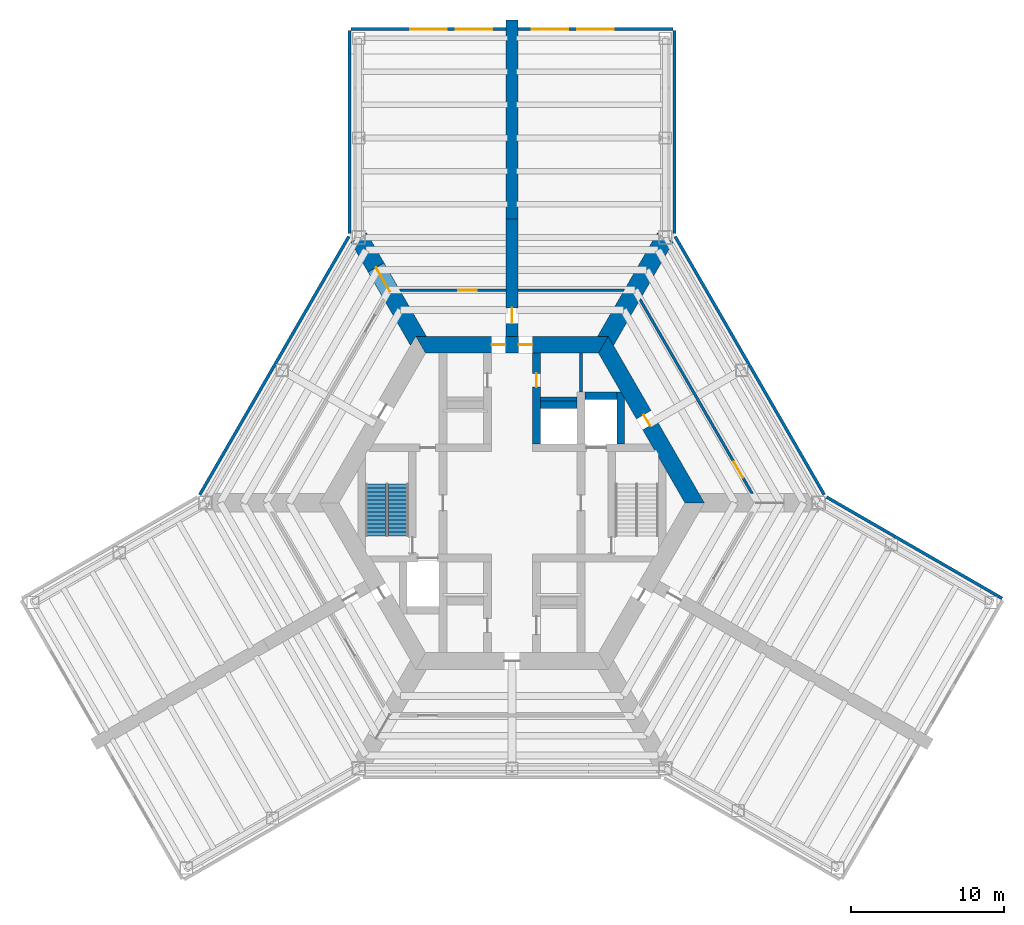
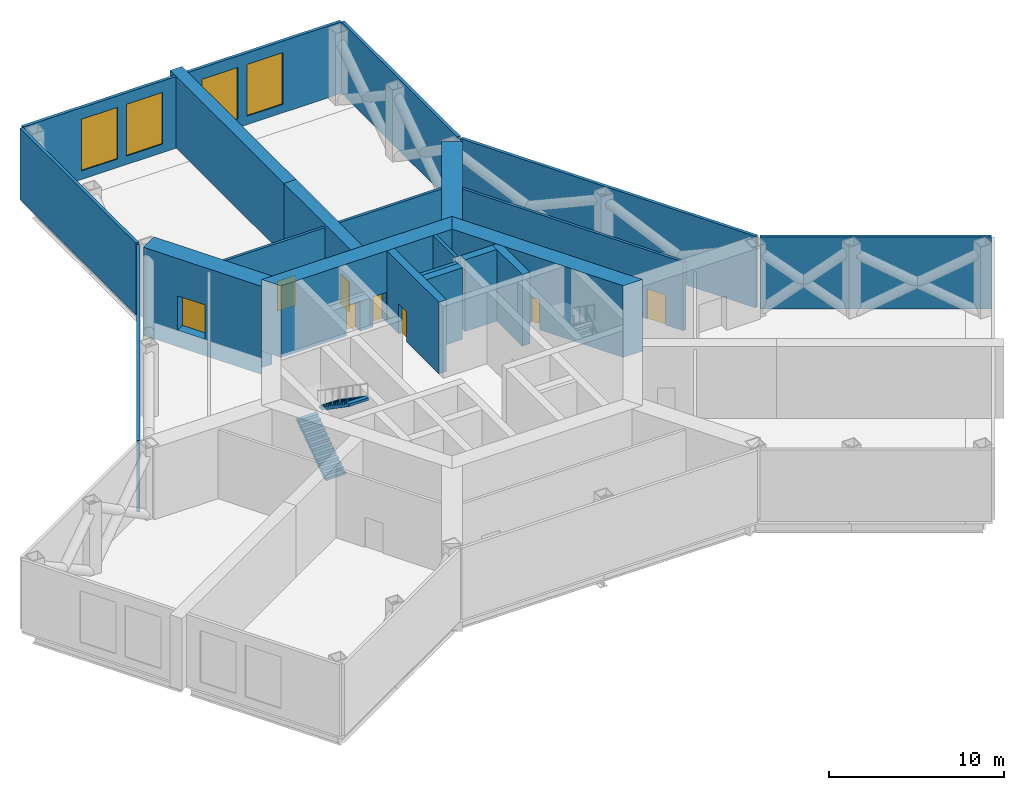
# One storey, part 6 of 8: 22 walls, 8 doors, 4 windows, 2 stair flights, 12 openings, 1 element without a shape of its own.
"""IFC4 building model written with IfcOpenShell, lengths in metres."""

from ifc_helpers import new_model, si_unit, direction, frame, frame_2d, origin, place, context, subcontext, project, spatial, polyline, rectangle, outline, extrude, material, layer, layer_set, type_object, element, fill, aggregate, save


model = new_model("IFC4")

# Units and contexts
model_context = context("Model", 3, precision=1e-05, world=origin(), true_north=direction((0.0, 1.0)))
body_context = subcontext(model_context, "Body", "Model", "MODEL_VIEW")
ifc_project = project(units=[si_unit("LENGTHUNIT", "METRE"), si_unit("AREAUNIT", "SQUARE_METRE"), si_unit("VOLUMEUNIT", "CUBIC_METRE"), si_unit("PLANEANGLEUNIT", "RADIAN"), si_unit("MASSUNIT", "GRAM", prefix="KILO")], contexts=[model_context])

# Site, building, storey
site_placement = place(None, origin())
site = spatial("IfcSite", under=ifc_project, at=site_placement, CompositionType="ELEMENT")
building_placement = place(site_placement, origin())
building = spatial("IfcBuilding", under=site, at=building_placement, Name="Kasaneha Research Tower", CompositionType="ELEMENT")
storey_placement = place(building_placement, frame((0.0, 0.0, 123.60009765625)))
storey = spatial("IfcBuildingStorey", under=building, at=storey_placement, Name="L31", CompositionType="ELEMENT", Elevation=123.60009765625)

# Wall, opening, door
ifc_material_1 = material(Name="Concrete Fc80", Category="concrete")
ifc_layer_1 = layer(ifc_material_1, 0.5)
ifc_layer_set_1 = layer_set([ifc_layer_1], Name="Core internal wall 500 Fc80")
wall_type_1 = type_object("IfcWallType", Name="Core internal wall 500 Fc80", PredefinedType="SHEAR", material=ifc_layer_set_1)
wall_1_placement = place(storey_placement, frame((1.60009765625, 3.85009765625, 0.0), z_axis=(0.0, 0.0, 1.0), x_axis=(0.0, 1.0, 0.0)))
wall_1 = element("IfcWall", 1, at=wall_1_placement, inside=storey, type_object=wall_type_1, Name="Core wall CNE L31", PredefinedType="SHEAR", context=body_context, shape_type="SweptSolid", body=[
    extrude(rectangle(XDim=5.9248046875, YDim=0.5, at=frame_2d((2.96240234375, 0.0))), origin(), (0.0, 0.0, 1.0), 5.0),
])
opening_1_placement = place(wall_1_placement, frame((3.699951171875, 0.0, 0.0)))
opening_1 = element("IfcOpeningElement", 2, at=opening_1_placement, cuts=wall_1, Name="Opening L31-D14", PredefinedType="OPENING", context=body_context, shape_type="SweptSolid", body=[
    extrude(rectangle(XDim=0.89990234375, YDim=2.10009765625, at=frame_2d((0.449951171875, 1.050048828125))), frame((0.0, 0.260009765625, 0.0), z_axis=(0.0, -1.0, 0.0), x_axis=(1.0, 0.0, 0.0)), (0.0, 0.0, 1.0), 0.52001953125),
])
ifc_material_2 = material(Name="Steel", Category="steel")
door_type_1 = type_object("IfcDoorType", Name="Toilet door FD20 900x2100", OperationType="NOTDEFINED", PredefinedType="DOOR", material=ifc_material_2)
door_1_placement = place(opening_1_placement, origin())
door_1 = element("IfcDoor", 3, at=door_1_placement, inside=storey, type_object=door_type_1, Name="Women's WC door L31-D14", OperationType="SINGLE_SWING_LEFT", OverallHeight=2.10009765625, OverallWidth=0.89990234375, PredefinedType="DOOR", context=body_context, shape_type="SweptSolid", body=[
    extrude(rectangle(XDim=0.89990234375, YDim=2.10009765625, at=frame_2d((0.449951171875, 1.050048828125))), frame((0.0, 0.02490234375, 0.0), z_axis=(0.0, -1.0, 0.0), x_axis=(1.0, 0.0, 0.0)), (0.0, 0.0, 1.0), 0.050048828125),
])
fill(opening_1, door_1)

# Walls
wall_2_placement = place(storey_placement, frame((1.85009765625, 6.39990234375, 0.0), z_axis=(0.0, 0.0, 1.0), x_axis=(1.0, 0.0, 0.0)))
element("IfcWall", 4, at=wall_2_placement, inside=storey, type_object=wall_type_1, Name="Core wall N3N L31", PredefinedType="SHEAR", context=body_context, shape_type="SweptSolid", body=[
    extrude(rectangle(XDim=2.39990234375, YDim=0.5, at=frame_2d((1.199951171875, 0.0))), origin(), (0.0, 0.0, 1.0), 5.0),
])
wall_3_placement = place(storey_placement, frame((4.75, 7.0, 0.0), z_axis=(0.0, 0.0, 1.0), x_axis=(1.0, 0.0, 0.0)))
element("IfcWall", 5, at=wall_3_placement, inside=storey, type_object=wall_type_1, Name="Core wall F1N L31", PredefinedType="SHEAR", context=body_context, shape_type="SweptSolid", body=[
    extrude(rectangle(XDim=2.10009765625, YDim=0.5, at=frame_2d((1.050048828125, 0.0))), origin(), (0.0, 0.0, 1.0), 5.0),
])
wall_4_placement = place(storey_placement, frame((7.10009765625, 3.85009765625, 0.0), z_axis=(0.0, 0.0, 1.0), x_axis=(0.0, 1.0, 0.0)))
element("IfcWall", 6, at=wall_4_placement, inside=storey, type_object=wall_type_1, Name="Core wall F1E L31", PredefinedType="SHEAR", context=body_context, shape_type="SweptSolid", body=[
    extrude(outline(polyline([(0.0, -0.25), (2.96923828125, -0.25), (3.39990234375, 0.0), (3.39990234375, 0.25), (0.0, 0.25), (0.0, -0.25)])), origin(), (0.0, 0.0, 1.0), 5.0),
])

# Wall, opening, door
ifc_material_3 = material(Name="Concrete Fc80", Category="concrete")
ifc_layer_2 = layer(ifc_material_3, 1.10009765625)
ifc_layer_set_2 = layer_set([ifc_layer_2], Name="Core wall 1100 Fc80")
wall_type_2 = type_object("IfcWallType", Name="Core wall 1100 Fc80", PredefinedType="SHEAR", material=ifc_layer_set_2)
wall_5_placement = place(storey_placement, frame((11.92236328125, 0.0, 0.0), z_axis=(0.0, 0.0, 1.0), x_axis=(-0.500004296715, 0.866022923061, 0.0)))
wall_5 = element("IfcWall", 7, at=wall_5_placement, inside=storey, type_object=wall_type_2, Name="Core wall 030 L31", PredefinedType="SHEAR", context=body_context, shape_type="SweptSolid", body=[
    extrude(outline(polyline([(-0.317626953125, -0.550048828125), (5.83544921875, -0.550048828125), (6.635498046875, -0.550048828125), (12.239990234375, -0.550048828125), (11.604736328125, 0.550048828125), (6.635498046875, 0.550048828125), (5.83544921875, 0.550048828125), (0.317626953125, 0.550048828125), (-0.317626953125, -0.550048828125)])), origin(), (0.0, 0.0, 1.0), 5.0),
])
opening_2_placement = place(wall_5_placement, frame((5.83544921875, 0.0, 0.0)))
opening_2 = element("IfcOpeningElement", 8, at=opening_2_placement, cuts=wall_5, Name="Opening L31-D04", PredefinedType="OPENING", context=body_context, shape_type="SweptSolid", body=[
    extrude(rectangle(XDim=0.800048828125, YDim=2.10009765625, at=frame_2d((0.39990234375, 1.050048828125))), frame((0.0, 0.56005859375, 0.0), z_axis=(0.0, -1.0, 0.0), x_axis=(1.0, 0.0, 0.0)), (0.0, 0.0, 1.0), 1.1201171875),
])
ifc_material_4 = material(Name="Steel", Category="steel")
door_type_2 = type_object("IfcDoorType", Name="Riser access door FD60 800x2100", OperationType="NOTDEFINED", PredefinedType="DOOR", material=ifc_material_4)
door_2_placement = place(opening_2_placement, origin())
door_2 = element("IfcDoor", 9, at=door_2_placement, inside=storey, type_object=door_type_2, Name="Pipe riser door L31-D04", OperationType="SINGLE_SWING_RIGHT", OverallHeight=2.10009765625, OverallWidth=0.800048828125, PredefinedType="DOOR", context=body_context, shape_type="SweptSolid", body=[
    extrude(rectangle(XDim=0.800048828125, YDim=2.10009765625, at=frame_2d((0.39990234375, 1.050048828125))), frame((0.0, 0.02490234375, 0.0), z_axis=(0.0, -1.0, 0.0), x_axis=(1.0, 0.0, 0.0)), (0.0, 0.0, 1.0), 0.050048828125),
])
fill(opening_2, door_2)

# Wall, openings, doors
wall_6_placement = place(storey_placement, frame((5.961181640625, 10.324951171875, 0.0), z_axis=(0.0, 0.0, 1.0), x_axis=(-1.0, 0.0, 0.0)))
wall_6 = element("IfcWall", 10, at=wall_6_placement, inside=storey, type_object=wall_type_2, Name="Core wall 090 L31", PredefinedType="SHEAR", context=body_context, shape_type="SweptSolid", body=[
    extrude(outline(polyline([(-0.317626953125, -0.550048828125), (4.63623046875, -0.550048828125), (5.5361328125, -0.550048828125), (6.38623046875, -0.550048828125), (7.2861328125, -0.550048828125), (12.239990234375, -0.550048828125), (11.604736328125, 0.550048828125), (7.2861328125, 0.550048828125), (6.38623046875, 0.550048828125), (5.5361328125, 0.550048828125), (4.63623046875, 0.550048828125), (0.317626953125, 0.550048828125), (-0.317626953125, -0.550048828125)])), origin(), (0.0, 0.0, 1.0), 5.0),
])
opening_3_placement = place(wall_6_placement, frame((6.38623046875, 0.0, 0.0)))
opening_3 = element("IfcOpeningElement", 11, at=opening_3_placement, cuts=wall_6, Name="Opening L31-D01", PredefinedType="OPENING", context=body_context, shape_type="SweptSolid", body=[
    extrude(rectangle(XDim=0.89990234375, YDim=2.10009765625, at=frame_2d((0.449951171875, 1.050048828125))), frame((0.0, 0.56005859375, 0.0), z_axis=(0.0, -1.0, 0.0), x_axis=(1.0, 0.0, 0.0)), (0.0, 0.0, 1.0), 1.1201171875),
])
opening_4_placement = place(wall_6_placement, frame((4.63623046875, 0.0, 0.0)))
opening_4 = element("IfcOpeningElement", 12, at=opening_4_placement, cuts=wall_6, Name="Opening L31-D02", PredefinedType="OPENING", context=body_context, shape_type="SweptSolid", body=[
    extrude(rectangle(XDim=0.89990234375, YDim=2.10009765625, at=frame_2d((0.449951171875, 1.050048828125))), frame((0.0, 0.56005859375, 0.0), z_axis=(0.0, -1.0, 0.0), x_axis=(1.0, 0.0, 0.0)), (0.0, 0.0, 1.0), 1.1201171875),
])
door_3_placement = place(opening_3_placement, origin())
door_3 = element("IfcDoor", 13, at=door_3_placement, inside=storey, type_object=door_type_1, Name="Core door north 1 L31-D01", OperationType="SINGLE_SWING_RIGHT", OverallHeight=2.10009765625, OverallWidth=0.89990234375, PredefinedType="DOOR", context=body_context, shape_type="SweptSolid", body=[
    extrude(rectangle(XDim=0.89990234375, YDim=2.10009765625, at=frame_2d((0.449951171875, 1.050048828125))), frame((0.0, 0.02490234375, 0.0), z_axis=(0.0, -1.0, 0.0), x_axis=(1.0, 0.0, 0.0)), (0.0, 0.0, 1.0), 0.050048828125),
])
fill(opening_3, door_3)
door_4_placement = place(opening_4_placement, origin())
door_4 = element("IfcDoor", 14, at=door_4_placement, inside=storey, type_object=door_type_1, Name="Core door north 2 L31-D02", OperationType="SINGLE_SWING_LEFT", OverallHeight=2.10009765625, OverallWidth=0.89990234375, PredefinedType="DOOR", context=body_context, shape_type="SweptSolid", body=[
    extrude(rectangle(XDim=0.89990234375, YDim=2.10009765625, at=frame_2d((0.449951171875, 1.050048828125))), frame((0.0, 0.02490234375, 0.0), z_axis=(0.0, -1.0, 0.0), x_axis=(1.0, 0.0, 0.0)), (0.0, 0.0, 1.0), 0.050048828125),
])
fill(opening_4, door_4)

# Walls
ifc_material_5 = material(Name="Terracotta cladding on steel frame", Category="masonry")
ifc_layer_3 = layer(ifc_material_5, 0.199951171875)
ifc_layer_set_3 = layer_set([ifc_layer_3], Name="Louvred plant wall 200")
wall_type_3 = type_object("IfcWallType", Name="Louvred plant wall 200", PredefinedType="ELEMENTEDWALL", material=ifc_layer_set_3)
wall_7_placement = place(storey_placement, frame((31.991455078125, -6.23046875, 0.0), z_axis=(0.0, 0.0, 1.0), x_axis=(-0.86602620781, 0.499998607384, 0.0)))
element("IfcWall", 15, at=wall_7_placement, inside=storey, type_object=wall_type_3, Name="Louvred plant wall L31", PredefinedType="ELEMENTEDWALL", context=body_context, shape_type="SweptSolid", body=[
    extrude(rectangle(XDim=13.2392578125, YDim=0.199951171875, at=frame_2d((6.61962890625, 0.0))), origin(), (0.0, 0.0, 1.0), 5.0),
])
wall_8_placement = place(storey_placement, frame((20.38916015625, 0.52587890625, 0.0), z_axis=(0.0, 0.0, 1.0), x_axis=(-0.499999841607, 0.866025495233, 0.0)))
element("IfcWall", 16, at=wall_8_placement, inside=storey, type_object=wall_type_3, Name="Louvred plant wall L31", PredefinedType="ELEMENTEDWALL", context=body_context, shape_type="SweptSolid", body=[
    extrude(rectangle(XDim=19.478515625, YDim=0.199951171875, at=frame_2d((9.7392578125, 0.0))), origin(), (0.0, 0.0, 1.0), 5.0),
])
wall_9_placement = place(storey_placement, frame((10.60009765625, 17.581298828125, 0.0), z_axis=(0.0, 0.0, 1.0), x_axis=(0.0, 1.0, 0.0)))
element("IfcWall", 17, at=wall_9_placement, inside=storey, type_object=wall_type_3, Name="Louvred plant wall L31", PredefinedType="ELEMENTEDWALL", context=body_context, shape_type="SweptSolid", body=[
    extrude(rectangle(XDim=13.2392578125, YDim=0.199951171875, at=frame_2d((6.61962890625, 0.0))), origin(), (0.0, 0.0, 1.0), 5.0),
])

# Wall, openings, windows
wall_10_placement = place(storey_placement, frame((10.5, 30.92041015625, 0.0), z_axis=(0.0, 0.0, 1.0), x_axis=(-1.0, 0.0, 0.0)))
wall_10 = element("IfcWall", 18, at=wall_10_placement, inside=storey, type_object=wall_type_3, Name="Louvred plant wall L31", PredefinedType="ELEMENTEDWALL", context=body_context, shape_type="SweptSolid", body=[
    extrude(rectangle(XDim=10.10009765625, YDim=0.199951171875, at=frame_2d((5.050048828125, 0.0))), origin(), (0.0, 0.0, 1.0), 5.0),
])
opening_5_placement = place(wall_10_placement, frame((3.86669921875, 0.0, 0.60009765625)))
opening_5 = element("IfcOpeningElement", 19, at=opening_5_placement, cuts=wall_10, Name="Opening LV2", PredefinedType="OPENING", context=body_context, shape_type="SweptSolid", body=[
    extrude(rectangle(XDim=2.36669921875, YDim=3.60009765625, at=frame_2d((1.183349609375, 1.800048828125))), frame((0.0, 0.10986328125, 0.0), z_axis=(0.0, -1.0, 0.0), x_axis=(1.0, 0.0, 0.0)), (0.0, 0.0, 1.0), 0.219970703125),
])
opening_6_placement = place(wall_10_placement, frame((6.833251953125, 0.0, 0.60009765625)))
opening_6 = element("IfcOpeningElement", 20, at=opening_6_placement, cuts=wall_10, Name="Opening LV2", PredefinedType="OPENING", context=body_context, shape_type="SweptSolid", body=[
    extrude(rectangle(XDim=2.36669921875, YDim=3.60009765625, at=frame_2d((1.183349609375, 1.800048828125))), frame((0.0, 0.10986328125, 0.0), z_axis=(0.0, -1.0, 0.0), x_axis=(1.0, 0.0, 0.0)), (0.0, 0.0, 1.0), 0.219970703125),
])
ifc_material_6 = material(Name="Aluminium 6063-T6", Category="aluminium")
window_type = type_object("IfcWindowType", Name="Louvre 2367x3600", PartitioningType="SINGLE_PANEL", PredefinedType="USERDEFINED", material=ifc_material_6)
window_1_placement = place(opening_5_placement, origin())
window_1 = element("IfcWindow", 21, at=window_1_placement, inside=storey, type_object=window_type, Name="Plant louvre L31 2", ObjectType="LOUVRE", OverallHeight=3.60009765625, OverallWidth=2.36669921875, PartitioningType="SINGLE_PANEL", PredefinedType="USERDEFINED", context=body_context, shape_type="SweptSolid", body=[
    extrude(rectangle(XDim=2.36669921875, YDim=3.60009765625, at=frame_2d((1.183349609375, 1.800048828125))), frame((0.0, 0.030029296875, 0.0), z_axis=(0.0, -1.0, 0.0), x_axis=(1.0, 0.0, 0.0)), (0.0, 0.0, 1.0), 0.06005859375),
])
fill(opening_5, window_1)
window_2_placement = place(opening_6_placement, origin())
window_2 = element("IfcWindow", 22, at=window_2_placement, inside=storey, type_object=window_type, Name="Plant louvre L31 3", ObjectType="LOUVRE", OverallHeight=3.60009765625, OverallWidth=2.36669921875, PartitioningType="SINGLE_PANEL", PredefinedType="USERDEFINED", context=body_context, shape_type="SweptSolid", body=[
    extrude(rectangle(XDim=2.36669921875, YDim=3.60009765625, at=frame_2d((1.183349609375, 1.800048828125))), frame((0.0, 0.030029296875, 0.0), z_axis=(0.0, -1.0, 0.0), x_axis=(1.0, 0.0, 0.0)), (0.0, 0.0, 1.0), 0.06005859375),
])
fill(opening_6, window_2)

wall_11_placement = place(storey_placement, frame((-0.39990234375, 30.92041015625, 0.0), z_axis=(0.0, 0.0, 1.0), x_axis=(-1.0, 0.0, 0.0)))
wall_11 = element("IfcWall", 23, at=wall_11_placement, inside=storey, type_object=wall_type_3, Name="Louvred plant wall L31", PredefinedType="ELEMENTEDWALL", context=body_context, shape_type="SweptSolid", body=[
    extrude(rectangle(XDim=10.10009765625, YDim=0.199951171875, at=frame_2d((5.050048828125, 0.0))), origin(), (0.0, 0.0, 1.0), 5.0),
])
opening_7_placement = place(wall_11_placement, frame((0.89990234375, 0.0, 0.60009765625)))
opening_7 = element("IfcOpeningElement", 24, at=opening_7_placement, cuts=wall_11, Name="Opening LV2", PredefinedType="OPENING", context=body_context, shape_type="SweptSolid", body=[
    extrude(rectangle(XDim=2.36669921875, YDim=3.60009765625, at=frame_2d((1.183349609375, 1.800048828125))), frame((0.0, 0.10986328125, 0.0), z_axis=(0.0, -1.0, 0.0), x_axis=(1.0, 0.0, 0.0)), (0.0, 0.0, 1.0), 0.219970703125),
])
opening_8_placement = place(wall_11_placement, frame((3.86669921875, 0.0, 0.60009765625)))
opening_8 = element("IfcOpeningElement", 25, at=opening_8_placement, cuts=wall_11, Name="Opening LV2", PredefinedType="OPENING", context=body_context, shape_type="SweptSolid", body=[
    extrude(rectangle(XDim=2.36669921875, YDim=3.60009765625, at=frame_2d((1.183349609375, 1.800048828125))), frame((0.0, 0.10986328125, 0.0), z_axis=(0.0, -1.0, 0.0), x_axis=(1.0, 0.0, 0.0)), (0.0, 0.0, 1.0), 0.219970703125),
])
window_3_placement = place(opening_7_placement, origin())
window_3 = element("IfcWindow", 26, at=window_3_placement, inside=storey, type_object=window_type, Name="Plant louvre L31 1", ObjectType="LOUVRE", OverallHeight=3.60009765625, OverallWidth=2.36669921875, PartitioningType="SINGLE_PANEL", PredefinedType="USERDEFINED", context=body_context, shape_type="SweptSolid", body=[
    extrude(rectangle(XDim=2.36669921875, YDim=3.60009765625, at=frame_2d((1.183349609375, 1.800048828125))), frame((0.0, 0.030029296875, 0.0), z_axis=(0.0, -1.0, 0.0), x_axis=(1.0, 0.0, 0.0)), (0.0, 0.0, 1.0), 0.06005859375),
])
fill(opening_7, window_3)
window_4_placement = place(opening_8_placement, origin())
window_4 = element("IfcWindow", 27, at=window_4_placement, inside=storey, type_object=window_type, Name="Plant louvre L31 2", ObjectType="LOUVRE", OverallHeight=3.60009765625, OverallWidth=2.36669921875, PartitioningType="SINGLE_PANEL", PredefinedType="USERDEFINED", context=body_context, shape_type="SweptSolid", body=[
    extrude(rectangle(XDim=2.36669921875, YDim=3.60009765625, at=frame_2d((1.183349609375, 1.800048828125))), frame((0.0, 0.030029296875, 0.0), z_axis=(0.0, -1.0, 0.0), x_axis=(1.0, 0.0, 0.0)), (0.0, 0.0, 1.0), 0.06005859375),
])
fill(opening_8, window_4)

# Walls
wall_12_placement = place(storey_placement, frame((-10.60009765625, 30.820556640625, 0.0), z_axis=(0.0, 0.0, 1.0), x_axis=(0.0, -1.0, 0.0)))
element("IfcWall", 28, at=wall_12_placement, inside=storey, type_object=wall_type_3, Name="Louvred plant wall L31", PredefinedType="ELEMENTEDWALL", context=body_context, shape_type="SweptSolid", body=[
    extrude(rectangle(XDim=13.2392578125, YDim=0.199951171875, at=frame_2d((6.61962890625, 0.0))), origin(), (0.0, 0.0, 1.0), 5.0),
])
wall_13_placement = place(storey_placement, frame((-10.64990234375, 17.394775390625, 0.0), z_axis=(0.0, 0.0, 1.0), x_axis=(-0.499999841607, -0.866025495233, 0.0)))
element("IfcWall", 29, at=wall_13_placement, inside=storey, type_object=wall_type_3, Name="Louvred plant wall L31", PredefinedType="ELEMENTEDWALL", context=body_context, shape_type="SweptSolid", body=[
    extrude(rectangle(XDim=19.478515625, YDim=0.199951171875, at=frame_2d((9.7392578125, 0.0))), origin(), (0.0, 0.0, 1.0), 5.0),
])
ifc_material_7 = material(Name="Concrete Fc80", Category="concrete")
ifc_layer_4 = layer(ifc_material_7, 1.199951171875)
ifc_layer_set_4 = layer_set([ifc_layer_4], Name="Outrigger wall 1200 Fc80")
wall_type_4 = type_object("IfcWallType", Name="Outrigger wall 1200 Fc80", PredefinedType="SHEAR", material=ifc_layer_set_4)
wall_14_placement = place(storey_placement, frame((6.278564453125, 10.875, -1.150146484375), z_axis=(0.0, 0.0, 1.0), x_axis=(0.50000923905, 0.866020069551, 0.0)))
element("IfcWall", 30, at=wall_14_placement, inside=storey, type_object=wall_type_4, Name="Outrigger wall 060 L31", PredefinedType="SHEAR", context=body_context, shape_type="SweptSolid", body=[
    extrude(outline(polyline([(-0.346435546875, -0.60009765625), (7.442626953125, -0.60009765625), (7.442626953125, 0.60009765625), (-0.346435546875, 0.60009765625), (0.0, 0.0), (-0.346435546875, -0.60009765625)])), origin(), (0.0, 0.0, 1.0), 6.150146484375),
])

# Wall, opening, door
wall_15_placement = place(storey_placement, frame((-6.278564453125, 10.875, -1.150146484375), z_axis=(0.0, 0.0, 1.0), x_axis=(-0.50000923905, 0.866020069551, 0.0)))
wall_15 = element("IfcWall", 31, at=wall_15_placement, inside=storey, type_object=wall_type_4, Name="Outrigger wall 120 L31", PredefinedType="SHEAR", context=body_context, shape_type="SweptSolid", body=[
    extrude(outline(polyline([(-0.346435546875, -0.60009765625), (3.395263671875, -0.60009765625), (5.1953125, -0.60009765625), (7.442626953125, -0.60009765625), (7.442626953125, 0.60009765625), (5.1953125, 0.60009765625), (3.395263671875, 0.60009765625), (-0.346435546875, 0.60009765625), (0.0, 0.0), (-0.346435546875, -0.60009765625)])), origin(), (0.0, 0.0, 1.0), 6.150146484375),
])
opening_9_placement = place(wall_15_placement, frame((3.395263671875, 0.0, 1.14990234375)))
opening_9 = element("IfcOpeningElement", 32, at=opening_9_placement, cuts=wall_15, Name="Opening L31-D21", PredefinedType="OPENING", context=body_context, shape_type="SweptSolid", body=[
    extrude(rectangle(XDim=1.800048828125, YDim=2.39990234375, at=frame_2d((0.89990234375, 1.199951171875))), frame((0.0, 0.60986328125, 0.0), z_axis=(0.0, -1.0, 0.0), x_axis=(1.0, 0.0, 0.0)), (0.0, 0.0, 1.0), 1.219970703125),
])
ifc_material_8 = material(Name="Steel", Category="steel")
door_type_3 = type_object("IfcDoorType", Name="Plant room double door FD60 1800x2400", OperationType="DOUBLE_DOOR_SINGLE_SWING", PredefinedType="DOOR", material=ifc_material_8)
door_5_placement = place(opening_9_placement, origin())
door_5 = element("IfcDoor", 33, at=door_5_placement, inside=storey, type_object=door_type_3, Name="Plant room door L31-D21", OperationType="DOUBLE_DOOR_SINGLE_SWING", OverallHeight=2.39990234375, OverallWidth=1.800048828125, PredefinedType="DOOR", context=body_context, shape_type="SweptSolid", body=[
    extrude(rectangle(XDim=1.800048828125, YDim=2.39990234375, at=frame_2d((0.89990234375, 1.199951171875))), frame((0.0, 0.02490234375, 0.0), z_axis=(0.0, -1.0, 0.0), x_axis=(1.0, 0.0, 0.0)), (0.0, 0.0, 1.0), 0.050048828125),
])
fill(opening_9, door_5)

ifc_material_9 = material(Name="Gypsum board on steel studs, two layers each side", Category="steel")
ifc_layer_5 = layer(ifc_material_9, 0.175048828125)
ifc_layer_set_5 = layer_set([ifc_layer_5], Name="Refuge fire partition 175")
wall_type_5 = type_object("IfcWallType", Name="Refuge fire partition 175", PredefinedType="PARTITIONING", material=ifc_layer_set_5)
wall_16_placement = place(storey_placement, frame((15.675048828125, 0.60009765625, 0.0), z_axis=(0.0, 0.0, 1.0), x_axis=(-0.500003545903, 0.866023356546, 0.0)))
wall_16 = element("IfcWall", 34, at=wall_16_placement, inside=storey, type_object=wall_type_5, Name="Refuge fire partition RFAE01 L31", PredefinedType="PARTITIONING", context=body_context, shape_type="SweptSolid", body=[
    extrude(outline(polyline([(-0.050537109375, -0.08740234375), (1.212890625, -0.08740234375), (2.412841796875, -0.08740234375), (14.686279296875, -0.08740234375), (14.585205078125, 0.08740234375), (2.412841796875, 0.08740234375), (1.212890625, 0.08740234375), (0.050537109375, 0.08740234375), (-0.050537109375, -0.08740234375)])), origin(), (0.0, 0.0, 1.0), 4.7998046875),
])
opening_10_placement = place(wall_16_placement, frame((1.212890625, 0.0, 0.0)))
opening_10 = element("IfcOpeningElement", 35, at=opening_10_placement, cuts=wall_16, Name="Opening L31-D23", PredefinedType="OPENING", context=body_context, shape_type="SweptSolid", body=[
    extrude(rectangle(XDim=1.199951171875, YDim=2.10009765625, at=frame_2d((0.60009765625, 1.050048828125))), frame((0.0, 0.09765625, 0.0), z_axis=(0.0, -1.0, 0.0), x_axis=(1.0, 0.0, 0.0)), (0.0, 0.0, 1.0), 0.195068359375),
])
ifc_material_10 = material(Name="Steel", Category="steel")
door_type_4 = type_object("IfcDoorType", Name="Laboratory door FD60 1200x2100", OperationType="DOUBLE_DOOR_SINGLE_SWING", PredefinedType="DOOR", material=ifc_material_10)
door_6_placement = place(opening_10_placement, origin())
door_6 = element("IfcDoor", 36, at=door_6_placement, inside=storey, type_object=door_type_4, Name="Plant room door L31-D23", OperationType="DOUBLE_DOOR_SINGLE_SWING", OverallHeight=2.10009765625, OverallWidth=1.199951171875, PredefinedType="DOOR", context=body_context, shape_type="SweptSolid", body=[
    extrude(rectangle(XDim=1.199951171875, YDim=2.10009765625, at=frame_2d((0.60009765625, 1.050048828125))), frame((0.0, 0.02490234375, 0.0), z_axis=(0.0, -1.0, 0.0), x_axis=(1.0, 0.0, 0.0)), (0.0, 0.0, 1.0), 0.050048828125),
])
fill(opening_10, door_6)

# Wall
wall_17_placement = place(storey_placement, frame((7.31787109375, 13.875, 0.0), z_axis=(0.0, 0.0, 1.0), x_axis=(-1.0, 0.0, 0.0)))
element("IfcWall", 37, at=wall_17_placement, inside=storey, type_object=wall_type_5, Name="Refuge fire partition RFAE02 L31", PredefinedType="PARTITIONING", context=body_context, shape_type="SweptSolid", body=[
    extrude(outline(polyline([(-0.050537109375, -0.08740234375), (6.912841796875, -0.08740234375), (6.912841796875, 0.08740234375), (0.050537109375, 0.08740234375), (-0.050537109375, -0.08740234375)])), origin(), (0.0, 0.0, 1.0), 4.7998046875),
])

# Wall, opening, door
wall_18_placement = place(storey_placement, frame((-0.405029296875, 13.875, 0.0), z_axis=(0.0, 0.0, 1.0), x_axis=(-1.0, 0.0, 0.0)))
wall_18 = element("IfcWall", 38, at=wall_18_placement, inside=storey, type_object=wall_type_5, Name="Refuge fire partition RFAW01 L31", PredefinedType="PARTITIONING", context=body_context, shape_type="SweptSolid", body=[
    extrude(outline(polyline([(0.0, -0.08740234375), (1.89990234375, -0.08740234375), (3.099853515625, -0.08740234375), (6.96337890625, -0.08740234375), (6.8623046875, 0.08740234375), (3.099853515625, 0.08740234375), (1.89990234375, 0.08740234375), (0.0, 0.08740234375), (0.0, -0.08740234375)])), origin(), (0.0, 0.0, 1.0), 4.7998046875),
])
opening_11_placement = place(wall_18_placement, frame((1.89990234375, 0.0, 0.0)))
opening_11 = element("IfcOpeningElement", 39, at=opening_11_placement, cuts=wall_18, Name="Opening L31-D24", PredefinedType="OPENING", context=body_context, shape_type="SweptSolid", body=[
    extrude(rectangle(XDim=1.199951171875, YDim=2.10009765625, at=frame_2d((0.60009765625, 1.050048828125))), frame((0.0, 0.09765625, 0.0), z_axis=(0.0, -1.0, 0.0), x_axis=(1.0, 0.0, 0.0)), (0.0, 0.0, 1.0), 0.195068359375),
])
door_7_placement = place(opening_11_placement, origin())
door_7 = element("IfcDoor", 40, at=door_7_placement, inside=storey, type_object=door_type_4, Name="Plant room door L31-D24", OperationType="DOUBLE_DOOR_SINGLE_SWING", OverallHeight=2.10009765625, OverallWidth=1.199951171875, PredefinedType="DOOR", context=body_context, shape_type="SweptSolid", body=[
    extrude(rectangle(XDim=1.199951171875, YDim=2.10009765625, at=frame_2d((0.60009765625, 1.050048828125))), frame((0.0, 0.02490234375, 0.0), z_axis=(0.0, -1.0, 0.0), x_axis=(1.0, 0.0, 0.0)), (0.0, 0.0, 1.0), 0.050048828125),
])
fill(opening_11, door_7)

# Wall
ifc_material_11 = material(Name="Concrete block", Category="concrete")
ifc_layer_6 = layer(ifc_material_11, 0.199951171875)
ifc_layer_set_6 = layer_set([ifc_layer_6], Name="Riser enclosure wall 200")
wall_type_6 = type_object("IfcWallType", Name="Riser enclosure wall 200", PredefinedType="STANDARD", material=ifc_layer_set_6)
wall_19_placement = place(storey_placement, frame((4.5, 7.25, 0.0), z_axis=(0.0, 0.0, 1.0), x_axis=(0.0, 1.0, 0.0)))
element("IfcWall", 41, at=wall_19_placement, inside=storey, type_object=wall_type_6, Name="Riser enclosure wall L31", PredefinedType="STANDARD", context=body_context, shape_type="SweptSolid", body=[
    extrude(rectangle(XDim=2.52490234375, YDim=0.199951171875, at=frame_2d((1.262451171875, 0.0))), origin(), (0.0, 0.0, 1.0), 5.0),
])

# Wall, opening, door
ifc_material_12 = material(Name="Concrete Fc80", Category="concrete")
ifc_layer_7 = layer(ifc_material_12, 0.800048828125)
ifc_layer_set_7 = layer_set([ifc_layer_7], Name="Spine wall 800 Fc80")
wall_type_7 = type_object("IfcWallType", Name="Spine wall 800 Fc80", PredefinedType="SHEAR", material=ifc_layer_set_7)
wall_20_placement = place(storey_placement, frame((0.0, 10.875, 0.0), z_axis=(0.0, 0.0, 1.0), x_axis=(0.0, 1.0, 0.0)))
wall_20 = element("IfcWall", 42, at=wall_20_placement, inside=storey, type_object=wall_type_7, Name="Spine wall A L31", PredefinedType="SHEAR", context=body_context, shape_type="SweptSolid", body=[
    extrude(rectangle(XDim=7.6455078125, YDim=0.800048828125, at=frame_2d((3.82275390625, 0.0))), origin(), (0.0, 0.0, 1.0), 5.0),
])
opening_12_placement = place(wall_20_placement, frame((0.85009765625, 0.0, 0.0)))
opening_12 = element("IfcOpeningElement", 43, at=opening_12_placement, cuts=wall_20, Name="Opening L31-D17", PredefinedType="OPENING", context=body_context, shape_type="SweptSolid", body=[
    extrude(rectangle(XDim=1.0, YDim=2.10009765625, at=frame_2d((0.5, 1.050048828125))), frame((0.0, 0.41015625, 0.0), z_axis=(0.0, -1.0, 0.0), x_axis=(1.0, 0.0, 0.0)), (0.0, 0.0, 1.0), 0.820068359375),
])
ifc_material_13 = material(Name="Steel", Category="steel")
door_type_5 = type_object("IfcDoorType", Name="Specified fire door FD60 1000x2100", OperationType="NOTDEFINED", PredefinedType="DOOR", material=ifc_material_13)
door_8_placement = place(opening_12_placement, origin())
door_8 = element("IfcDoor", 44, at=door_8_placement, inside=storey, type_object=door_type_5, Name="Spine doorway A L31-D17", OperationType="SINGLE_SWING_LEFT", OverallHeight=2.10009765625, OverallWidth=1.0, PredefinedType="DOOR", context=body_context, shape_type="SweptSolid", body=[
    extrude(rectangle(XDim=1.0, YDim=2.10009765625, at=frame_2d((0.5, 1.050048828125))), frame((0.0, 0.02490234375, 0.0), z_axis=(0.0, -1.0, 0.0), x_axis=(1.0, 0.0, 0.0)), (0.0, 0.0, 1.0), 0.050048828125),
])
fill(opening_12, door_8)

# Walls
wall_21_placement = place(storey_placement, frame((0.0, 18.5205078125, 0.0), z_axis=(0.0, 0.0, 1.0), x_axis=(0.0, 1.0, 0.0)))
element("IfcWall", 45, at=wall_21_placement, inside=storey, type_object=wall_type_7, Name="Spine wall A wing L31", PredefinedType="SHEAR", context=body_context, shape_type="SweptSolid", body=[
    extrude(rectangle(XDim=13.0, YDim=0.800048828125, at=frame_2d((6.5, 0.0))), origin(), (0.0, 0.0, 1.0), 5.0),
])
ifc_material_14 = material(Name="Concrete block lining", Category="concrete")
ifc_layer_8 = layer(ifc_material_14, 0.25)
ifc_layer_set_8 = layer_set([ifc_layer_8], Name="WC plumbing wall 250")
wall_type_8 = type_object("IfcWallType", Name="WC plumbing wall 250", PredefinedType="PLUMBINGWALL", material=ifc_layer_set_8)
wall_22_placement = place(storey_placement, frame((1.85009765625, 6.77490234375, 0.0), z_axis=(0.0, 0.0, 1.0), x_axis=(1.0, 0.0, 0.0)))
element("IfcWall", 46, at=wall_22_placement, inside=storey, type_object=wall_type_8, Name="WC plumbing wall F L31", PredefinedType="PLUMBINGWALL", context=body_context, shape_type="SweptSolid", body=[
    extrude(rectangle(XDim=2.39990234375, YDim=0.25, at=frame_2d((1.199951171875, 0.0))), origin(), (0.0, 0.0, 1.0), 5.0),
])

# Stair, stair flights
ifc_material_15 = material(Name="Concrete Fc24", Category="concrete")
stair_type = type_object("IfcStairType", Name="Half-turn stair 28 risers", PredefinedType="HALF_TURN_STAIR", material=ifc_material_15)
stair_placement = place(storey_placement, origin())
stair = element("IfcStair", 47, at=stair_placement, inside=storey, type_object=stair_type, Name="Stair 2 L31", PredefinedType="HALF_TURN_STAIR")
ifc_material_16 = material(Name="Concrete Fc24", Category="concrete")
stair_flight_type = type_object("IfcStairFlightType", Name="Stair flight 14 risers 178.6", PredefinedType="STRAIGHT", material=ifc_material_16)
stair_flight_1_placement = place(storey_placement, frame((-8.89990234375, -2.14990234375, 0.0), z_axis=(0.0, 0.0, 1.0), x_axis=(0.0, 1.0, 0.0)))
stair_flight_1 = element("IfcStairFlight", 48, at=stair_flight_1_placement, type_object=stair_flight_type, Name="ST2-28R flight 1", NumberOfRisers=14, NumberOfTreads=13, PredefinedType="STRAIGHT", RiserHeight=0.178571429, TreadLength=0.26, context=body_context, shape_type="SweptSolid", body=[
    extrude(outline(polyline([(0.0, 0.0), (0.0, 0.178466796875), (0.260009765625, 0.178466796875), (0.260009765625, 0.357177734375), (0.52001953125, 0.357177734375), (0.52001953125, 0.53564453125), (0.780029296875, 0.53564453125), (0.780029296875, 0.71435546875), (1.0400390625, 0.71435546875), (1.0400390625, 0.892822265625), (1.300048828125, 0.892822265625), (1.300048828125, 1.071533203125), (1.56005859375, 1.071533203125), (1.56005859375, 1.25), (1.820068359375, 1.25), (1.820068359375, 1.428466796875), (2.080078125, 1.428466796875), (2.080078125, 1.607177734375), (2.340087890625, 1.607177734375), (2.340087890625, 1.78564453125), (2.60009765625, 1.78564453125), (2.60009765625, 1.96435546875), (2.860107421875, 1.96435546875), (2.860107421875, 2.142822265625), (3.1201171875, 2.142822265625), (3.1201171875, 2.321533203125), (3.3798828125, 2.321533203125), (3.3798828125, 2.5), (3.3798828125, 2.1396484375), (0.264892578125, 0.0), (0.0, 0.0)])), frame((0.0, 0.64990234375, 0.0), z_axis=(0.0, -1.0, 0.0), x_axis=(1.0, 0.0, 0.0)), (0.0, 0.0, 1.0), 1.300048828125),
])
stair_flight_2_placement = place(storey_placement, frame((-7.39990234375, 1.22998046875, 2.5), z_axis=(0.0, 0.0, 1.0), x_axis=(0.0, -1.0, 0.0)))
stair_flight_2 = element("IfcStairFlight", 49, at=stair_flight_2_placement, type_object=stair_flight_type, Name="ST2-28R flight 2", NumberOfRisers=14, NumberOfTreads=13, PredefinedType="STRAIGHT", RiserHeight=0.178571429, TreadLength=0.26, context=body_context, shape_type="SweptSolid", body=[
    extrude(outline(polyline([(0.0, 0.0), (0.0, 0.178466796875), (0.260009765625, 0.178466796875), (0.260009765625, 0.357177734375), (0.52001953125, 0.357177734375), (0.52001953125, 0.53564453125), (0.780029296875, 0.53564453125), (0.780029296875, 0.71435546875), (1.0400390625, 0.71435546875), (1.0400390625, 0.892822265625), (1.300048828125, 0.892822265625), (1.300048828125, 1.071533203125), (1.56005859375, 1.071533203125), (1.56005859375, 1.25), (1.820068359375, 1.25), (1.820068359375, 1.428466796875), (2.080078125, 1.428466796875), (2.080078125, 1.607177734375), (2.340087890625, 1.607177734375), (2.340087890625, 1.78564453125), (2.60009765625, 1.78564453125), (2.60009765625, 1.96435546875), (2.860107421875, 1.96435546875), (2.860107421875, 2.142822265625), (3.1201171875, 2.142822265625), (3.1201171875, 2.321533203125), (3.3798828125, 2.321533203125), (3.3798828125, 2.5), (3.3798828125, 2.1396484375), (0.264892578125, 0.0), (0.0, 0.0)])), frame((0.0, 0.64990234375, 0.0), z_axis=(0.0, -1.0, 0.0), x_axis=(1.0, 0.0, 0.0)), (0.0, 0.0, 1.0), 1.300048828125),
])
aggregate(stair, [stair_flight_1, stair_flight_2])

save(model, "model.ifc")
